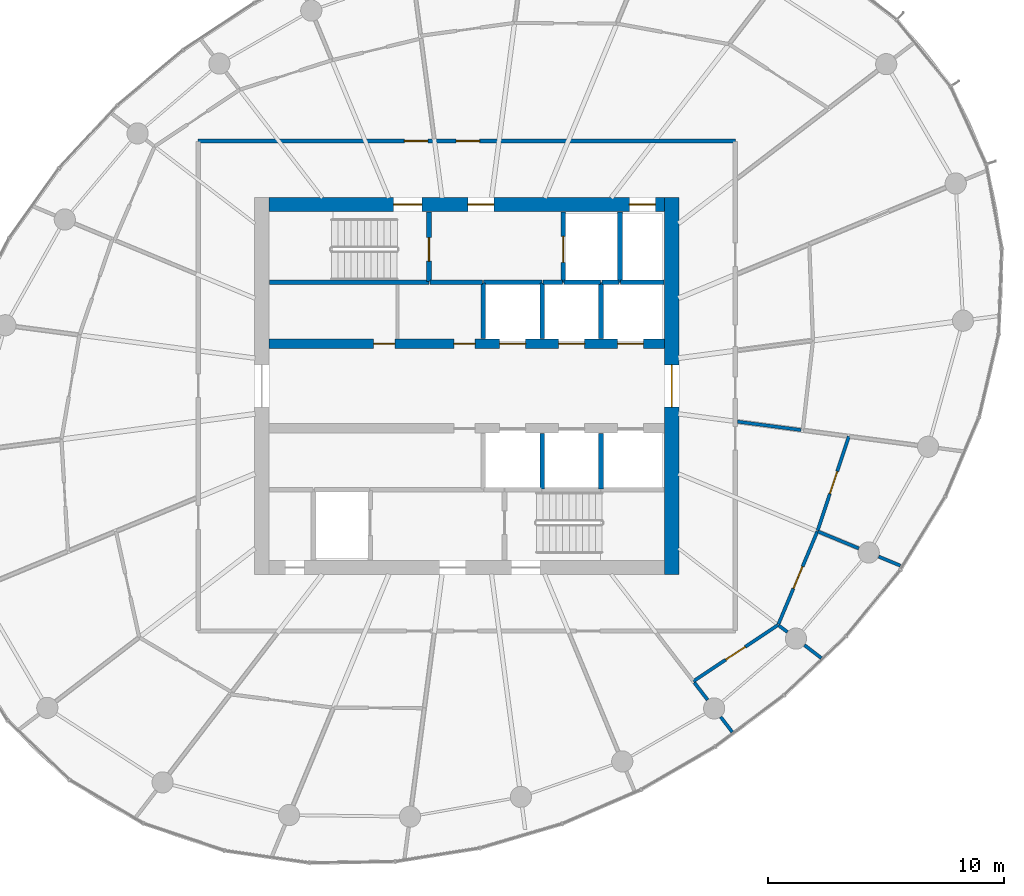
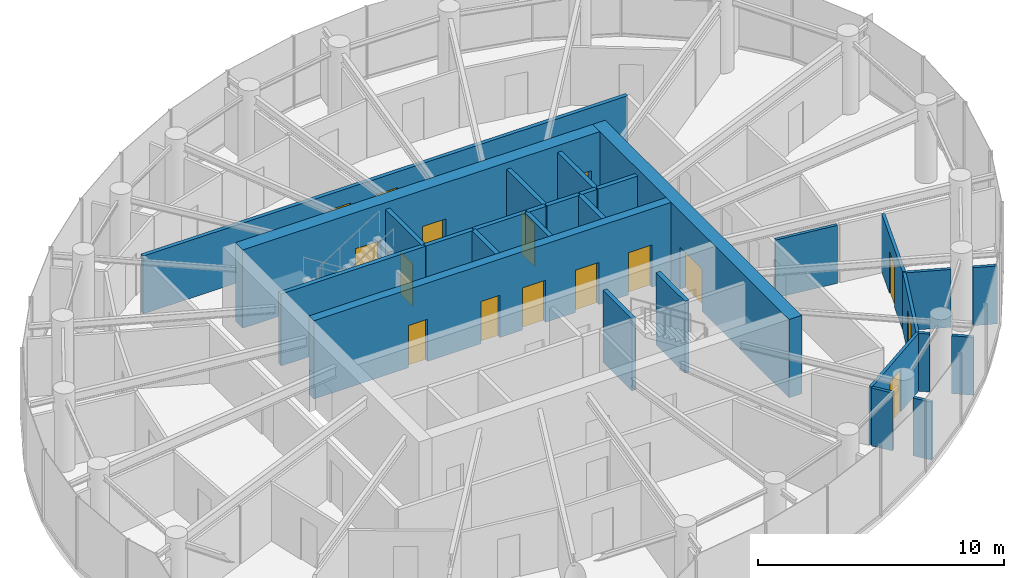
# One storey, part 11 of 15: 29 walls, 16 doors, 16 openings.
"""IFC4 building model written with IfcOpenShell, lengths in metres."""

from ifc_helpers import new_model, si_unit, direction, frame, frame_2d, origin, place, context, subcontext, project, spatial, rectangle, extrude, source, transform, mapped, material, layer, layer_set, type_object, element, fill, save


model = new_model("IFC4")

# Units and contexts
model_context = context("Model", 3, precision=1e-05, world=origin(), true_north=direction((0.0, 1.0)))
body_context = subcontext(model_context, "Body", "Model", "MODEL_VIEW")
ifc_project = project(units=[si_unit("LENGTHUNIT", "METRE"), si_unit("AREAUNIT", "SQUARE_METRE"), si_unit("VOLUMEUNIT", "CUBIC_METRE"), si_unit("PLANEANGLEUNIT", "RADIAN"), si_unit("MASSUNIT", "GRAM", prefix="KILO")], contexts=[model_context])

# Site, building, storey
site_placement = place(None, origin())
site = spatial("IfcSite", under=ifc_project, at=site_placement, CompositionType="ELEMENT")
building_placement = place(site_placement, origin())
building = spatial("IfcBuilding", under=site, at=building_placement, Name="Spindrift Exchange Tower", CompositionType="ELEMENT")
storey_placement = place(building_placement, frame((0.0, 0.0, 199.39990234375)))
storey = spatial("IfcBuildingStorey", under=building, at=storey_placement, Name="L48", CompositionType="ELEMENT", Elevation=199.39990234375)

# Wall, opening, door
ifc_material_1 = material(Name="Concrete 50 MPa", Category="concrete")
ifc_layer_1 = layer(ifc_material_1, 0.60009765625)
ifc_layer_set_1 = layer_set([ifc_layer_1], Name="RC Core Wall 600 Concrete 50 MPa")
wall_type_1 = type_object("IfcWallType", Name="RC Core Wall 600 Concrete 50 MPa", PredefinedType="SHEAR", material=ifc_layer_set_1)
wall_1_placement = place(storey_placement, frame((60.699951171875, 40.0, 0.0), z_axis=(0.0, 0.0, 1.0), x_axis=(0.0, 1.0, 0.0)))
wall_1 = element("IfcWall", 1, at=wall_1_placement, inside=storey, type_object=wall_type_1, Name="Core wall E L48", PredefinedType="SHEAR", context=body_context, shape_type="SweptSolid", body=[
    extrude(rectangle(XDim=16.0, YDim=0.60009765625, at=frame_2d((8.0, 0.0))), origin(), (0.0, 0.0, 1.0), 3.900146484375),
])
opening_1_placement = place(wall_1_placement, frame((7.10009765625, 0.0, 0.0)))
opening_1 = element("IfcOpeningElement", 2, at=opening_1_placement, cuts=wall_1, Name="Opening L48-D2", PredefinedType="OPENING", context=body_context, shape_type="SweptSolid", body=[
    extrude(rectangle(XDim=1.800048828125, YDim=2.10009765625, at=frame_2d((0.89990234375, 1.050048828125))), frame((0.0, 0.31005859375, 0.0), z_axis=(0.0, -1.0, 0.0), x_axis=(1.0, 0.0, 0.0)), (0.0, 0.0, 1.0), 0.6201171875),
])
ifc_material_2 = material(Name="Timber-core fire door", Category="wood")
door_type_1 = type_object("IfcDoorType", Name="DR-LOBBY-1800", OperationType="NOTDEFINED", PredefinedType="DOOR", material=ifc_material_2)
shared_shape_1 = source(origin(), body_context, "Body", "SweptSolid", [
    extrude(rectangle(XDim=1.800048828125, YDim=2.10009765625, at=frame_2d((0.89990234375, 1.050048828125))), frame((0.0, 0.02490234375, 0.0), z_axis=(0.0, -1.0, 0.0), x_axis=(1.0, 0.0, 0.0)), (0.0, 0.0, 1.0), 0.050048828125),
])
door_1_placement = place(opening_1_placement, origin())
door_1 = element("IfcDoor", 3, at=door_1_placement, inside=storey, type_object=door_type_1, Name="L48 Lobby door 2", OperationType="SINGLE_SWING_LEFT", OverallHeight=2.10009765625, OverallWidth=1.800048828125, PredefinedType="DOOR", context=body_context, shape_type="MappedRepresentation", body=[
    mapped(shared_shape_1, transform((0.0, 0.0, 0.0), scale=1.0)),
])
fill(opening_1, door_1)

# Wall, openings, doors
wall_2_placement = place(storey_placement, frame((60.39990234375, 55.699951171875, 0.0), z_axis=(0.0, 0.0, 1.0), x_axis=(-1.0, 0.0, 0.0)))
wall_2 = element("IfcWall", 4, at=wall_2_placement, inside=storey, type_object=wall_type_1, Name="Core wall N L48", PredefinedType="SHEAR", context=body_context, shape_type="SweptSolid", body=[
    extrude(rectangle(XDim=16.7998046875, YDim=0.60009765625, at=frame_2d((8.39990234375, 0.0))), origin(), (0.0, 0.0, 1.0), 3.900146484375),
])
opening_2_placement = place(wall_2_placement, frame((0.39990234375, 0.0, 0.0)))
opening_2 = element("IfcOpeningElement", 5, at=opening_2_placement, cuts=wall_2, Name="Opening L48-D11", PredefinedType="OPENING", context=body_context, shape_type="SweptSolid", body=[
    extrude(rectangle(XDim=1.10009765625, YDim=2.10009765625, at=frame_2d((0.550048828125, 1.050048828125))), frame((0.0, 0.31005859375, 0.0), z_axis=(0.0, -1.0, 0.0), x_axis=(1.0, 0.0, 0.0)), (0.0, 0.0, 1.0), 0.6201171875),
])
opening_3_placement = place(wall_2_placement, frame((10.300048828125, 0.0, 0.0)))
opening_3 = element("IfcOpeningElement", 6, at=opening_3_placement, cuts=wall_2, Name="Opening L48-D12", PredefinedType="OPENING", context=body_context, shape_type="SweptSolid", body=[
    extrude(rectangle(XDim=1.199951171875, YDim=2.10009765625, at=frame_2d((0.60009765625, 1.050048828125))), frame((0.0, 0.31005859375, 0.0), z_axis=(0.0, -1.0, 0.0), x_axis=(1.0, 0.0, 0.0)), (0.0, 0.0, 1.0), 0.6201171875),
])
opening_4_placement = place(wall_2_placement, frame((7.25, 0.0, 0.0)))
opening_4 = element("IfcOpeningElement", 7, at=opening_4_placement, cuts=wall_2, Name="Opening L48-D14", PredefinedType="OPENING", context=body_context, shape_type="SweptSolid", body=[
    extrude(rectangle(XDim=1.10009765625, YDim=2.10009765625, at=frame_2d((0.550048828125, 1.050048828125))), frame((0.0, 0.31005859375, 0.0), z_axis=(0.0, -1.0, 0.0), x_axis=(1.0, 0.0, 0.0)), (0.0, 0.0, 1.0), 0.6201171875),
])
ifc_material_3 = material(Name="Stainless steel landing door", Category="steel")
door_type_2 = type_object("IfcDoorType", Name="DR-LANDING-1100-SL", OperationType="DOUBLE_DOOR_SLIDING", PredefinedType="USERDEFINED", material=ifc_material_3)
shared_shape_2 = source(origin(), body_context, "Body", "SweptSolid", [
    extrude(rectangle(XDim=1.10009765625, YDim=2.10009765625, at=frame_2d((0.550048828125, 1.050048828125))), frame((0.0, 0.02490234375, 0.0), z_axis=(0.0, -1.0, 0.0), x_axis=(1.0, 0.0, 0.0)), (0.0, 0.0, 1.0), 0.050048828125),
])
door_2_placement = place(opening_2_placement, origin())
door_2 = element("IfcDoor", 8, at=door_2_placement, inside=storey, type_object=door_type_2, Name="L48 Lift landing door 11", ObjectType="LANDING DOOR", OperationType="DOUBLE_DOOR_SLIDING", OverallHeight=2.10009765625, OverallWidth=1.10009765625, PredefinedType="USERDEFINED", context=body_context, shape_type="MappedRepresentation", body=[
    mapped(shared_shape_2, transform((0.0, 0.0, 0.0), scale=1.0)),
])
fill(opening_2, door_2)
ifc_material_4 = material(Name="Steel fire door", Category="steel")
door_type_3 = type_object("IfcDoorType", Name="DR-STAIR-1200", OperationType="NOTDEFINED", PredefinedType="DOOR", material=ifc_material_4)
shared_shape_3 = source(origin(), body_context, "Body", "SweptSolid", [
    extrude(rectangle(XDim=1.199951171875, YDim=2.10009765625, at=frame_2d((0.60009765625, 1.050048828125))), frame((0.0, 0.02490234375, 0.0), z_axis=(0.0, -1.0, 0.0), x_axis=(1.0, 0.0, 0.0)), (0.0, 0.0, 1.0), 0.050048828125),
])
door_3_placement = place(opening_3_placement, origin())
door_3 = element("IfcDoor", 9, at=door_3_placement, inside=storey, type_object=door_type_3, Name="L48 Stair door 12", OperationType="SINGLE_SWING_RIGHT", OverallHeight=2.10009765625, OverallWidth=1.199951171875, PredefinedType="DOOR", context=body_context, shape_type="MappedRepresentation", body=[
    mapped(shared_shape_3, transform((0.0, 0.0, 0.0), scale=1.0)),
])
fill(opening_3, door_3)
door_type_4 = type_object("IfcDoorType", Name="DR-LOBBY-1100", OperationType="NOTDEFINED", PredefinedType="DOOR", material=ifc_material_2)
shared_shape_4 = source(origin(), body_context, "Body", "SweptSolid", [
    extrude(rectangle(XDim=1.10009765625, YDim=2.10009765625, at=frame_2d((0.550048828125, 1.050048828125))), frame((0.0, 0.02490234375, 0.0), z_axis=(0.0, -1.0, 0.0), x_axis=(1.0, 0.0, 0.0)), (0.0, 0.0, 1.0), 0.050048828125),
])
door_4_placement = place(opening_4_placement, origin())
door_4 = element("IfcDoor", 10, at=door_4_placement, inside=storey, type_object=door_type_4, Name="L48 Lobby door 14", OperationType="SINGLE_SWING_RIGHT", OverallHeight=2.10009765625, OverallWidth=1.10009765625, PredefinedType="DOOR", context=body_context, shape_type="MappedRepresentation", body=[
    mapped(shared_shape_4, transform((0.0, 0.0, 0.0), scale=1.0)),
])
fill(opening_4, door_4)

ifc_layer_2 = layer(ifc_material_1, 0.39990234375)
ifc_layer_set_2 = layer_set([ifc_layer_2], Name="RC Spine Wall 400 Concrete 50 MPa")
wall_type_2 = type_object("IfcWallType", Name="RC Spine Wall 400 Concrete 50 MPa", PredefinedType="SHEAR", material=ifc_layer_set_2)
wall_3_placement = place(storey_placement, frame((43.60009765625, 49.800048828125, 0.0), z_axis=(0.0, 0.0, 1.0), x_axis=(1.0, 0.0, 0.0)))
wall_3 = element("IfcWall", 11, at=wall_3_placement, inside=storey, type_object=wall_type_2, Name="Core spine wall N L48", PredefinedType="SHEAR", context=body_context, shape_type="SweptSolid", body=[
    extrude(rectangle(XDim=16.7998046875, YDim=0.39990234375, at=frame_2d((8.39990234375, 0.0))), origin(), (0.0, 0.0, 1.0), 3.900146484375),
])
opening_5_placement = place(wall_3_placement, frame((9.800048828125, 0.0, 0.0)))
opening_5 = element("IfcOpeningElement", 12, at=opening_5_placement, cuts=wall_3, Name="Opening L48-D3", PredefinedType="OPENING", context=body_context, shape_type="SweptSolid", body=[
    extrude(rectangle(XDim=1.10009765625, YDim=2.10009765625, at=frame_2d((0.550048828125, 1.050048828125))), frame((0.0, 0.2099609375, 0.0), z_axis=(0.0, -1.0, 0.0), x_axis=(1.0, 0.0, 0.0)), (0.0, 0.0, 1.0), 0.419921875),
])
opening_6_placement = place(wall_3_placement, frame((12.300048828125, 0.0, 0.0)))
opening_6 = element("IfcOpeningElement", 13, at=opening_6_placement, cuts=wall_3, Name="Opening L48-D4", PredefinedType="OPENING", context=body_context, shape_type="SweptSolid", body=[
    extrude(rectangle(XDim=1.10009765625, YDim=2.10009765625, at=frame_2d((0.550048828125, 1.050048828125))), frame((0.0, 0.2099609375, 0.0), z_axis=(0.0, -1.0, 0.0), x_axis=(1.0, 0.0, 0.0)), (0.0, 0.0, 1.0), 0.419921875),
])
opening_7_placement = place(wall_3_placement, frame((14.800048828125, 0.0, 0.0)))
opening_7 = element("IfcOpeningElement", 14, at=opening_7_placement, cuts=wall_3, Name="Opening L48-D5", PredefinedType="OPENING", context=body_context, shape_type="SweptSolid", body=[
    extrude(rectangle(XDim=1.10009765625, YDim=2.10009765625, at=frame_2d((0.550048828125, 1.050048828125))), frame((0.0, 0.2099609375, 0.0), z_axis=(0.0, -1.0, 0.0), x_axis=(1.0, 0.0, 0.0)), (0.0, 0.0, 1.0), 0.419921875),
])
opening_8_placement = place(wall_3_placement, frame((4.449951171875, 0.0, 0.0)))
opening_8 = element("IfcOpeningElement", 15, at=opening_8_placement, cuts=wall_3, Name="Opening L48-D49", PredefinedType="OPENING", context=body_context, shape_type="SweptSolid", body=[
    extrude(rectangle(XDim=0.89990234375, YDim=2.10009765625, at=frame_2d((0.449951171875, 1.050048828125))), frame((0.0, 0.2099609375, 0.0), z_axis=(0.0, -1.0, 0.0), x_axis=(1.0, 0.0, 0.0)), (0.0, 0.0, 1.0), 0.419921875),
])
opening_9_placement = place(wall_3_placement, frame((7.85009765625, 0.0, 0.0)))
opening_9 = element("IfcOpeningElement", 16, at=opening_9_placement, cuts=wall_3, Name="Opening L48-D50", PredefinedType="OPENING", context=body_context, shape_type="SweptSolid", body=[
    extrude(rectangle(XDim=0.89990234375, YDim=2.10009765625, at=frame_2d((0.449951171875, 1.050048828125))), frame((0.0, 0.2099609375, 0.0), z_axis=(0.0, -1.0, 0.0), x_axis=(1.0, 0.0, 0.0)), (0.0, 0.0, 1.0), 0.419921875),
])
door_5_placement = place(opening_5_placement, origin())
door_5 = element("IfcDoor", 17, at=door_5_placement, inside=storey, type_object=door_type_2, Name="L48 Lift landing door 3", ObjectType="LANDING DOOR", OperationType="DOUBLE_DOOR_SLIDING", OverallHeight=2.10009765625, OverallWidth=1.10009765625, PredefinedType="USERDEFINED", context=body_context, shape_type="MappedRepresentation", body=[
    mapped(shared_shape_2, transform((0.0, 0.0, 0.0), scale=1.0)),
])
fill(opening_5, door_5)
door_6_placement = place(opening_6_placement, origin())
door_6 = element("IfcDoor", 18, at=door_6_placement, inside=storey, type_object=door_type_2, Name="L48 Lift landing door 4", ObjectType="LANDING DOOR", OperationType="DOUBLE_DOOR_SLIDING", OverallHeight=2.10009765625, OverallWidth=1.10009765625, PredefinedType="USERDEFINED", context=body_context, shape_type="MappedRepresentation", body=[
    mapped(shared_shape_2, transform((0.0, 0.0, 0.0), scale=1.0)),
])
fill(opening_6, door_6)
door_7_placement = place(opening_7_placement, origin())
door_7 = element("IfcDoor", 19, at=door_7_placement, inside=storey, type_object=door_type_2, Name="L48 Lift landing door 5", ObjectType="LANDING DOOR", OperationType="DOUBLE_DOOR_SLIDING", OverallHeight=2.10009765625, OverallWidth=1.10009765625, PredefinedType="USERDEFINED", context=body_context, shape_type="MappedRepresentation", body=[
    mapped(shared_shape_2, transform((0.0, 0.0, 0.0), scale=1.0)),
])
fill(opening_7, door_7)
ifc_material_5 = material(Name="Steel access door", Category="steel")
door_type_5 = type_object("IfcDoorType", Name="DR-RISER-900", OperationType="NOTDEFINED", PredefinedType="DOOR", material=ifc_material_5)
shared_shape_5 = source(origin(), body_context, "Body", "SweptSolid", [
    extrude(rectangle(XDim=0.89990234375, YDim=2.10009765625, at=frame_2d((0.449951171875, 1.050048828125))), frame((0.0, 0.02490234375, 0.0), z_axis=(0.0, -1.0, 0.0), x_axis=(1.0, 0.0, 0.0)), (0.0, 0.0, 1.0), 0.050048828125),
])
door_8_placement = place(opening_8_placement, origin())
door_8 = element("IfcDoor", 20, at=door_8_placement, inside=storey, type_object=door_type_5, Name="L48 Riser door 49", OperationType="SINGLE_SWING_LEFT", OverallHeight=2.10009765625, OverallWidth=0.89990234375, PredefinedType="DOOR", context=body_context, shape_type="MappedRepresentation", body=[
    mapped(shared_shape_5, transform((0.0, 0.0, 0.0), scale=1.0)),
])
fill(opening_8, door_8)
door_9_placement = place(opening_9_placement, origin())
door_9 = element("IfcDoor", 21, at=door_9_placement, inside=storey, type_object=door_type_5, Name="L48 Riser door 50", OperationType="SINGLE_SWING_RIGHT", OverallHeight=2.10009765625, OverallWidth=0.89990234375, PredefinedType="DOOR", context=body_context, shape_type="MappedRepresentation", body=[
    mapped(shared_shape_5, transform((0.0, 0.0, 0.0), scale=1.0)),
])
fill(opening_9, door_9)

ifc_material_6 = material(Name="Fire-rated plasterboard partition", Category="gypsum")
ifc_layer_3 = layer(ifc_material_6, 0.179931640625)
ifc_layer_set_3 = layer_set([ifc_layer_3], Name="W-CORR-180")
wall_type_3 = type_object("IfcWallType", Name="W-CORR-180", PredefinedType="PARTITIONING", material=ifc_layer_set_3)
wall_4_placement = place(storey_placement, frame((40.60009765625, 58.39990234375, 0.0), z_axis=(0.0, 0.0, 1.0), x_axis=(1.0, 0.0, 0.0)))
wall_4 = element("IfcWall", 22, at=wall_4_placement, inside=storey, type_object=wall_type_3, Name="L48 Partition wall 27", PredefinedType="PARTITIONING", context=body_context, shape_type="SweptSolid", body=[
    extrude(rectangle(XDim=22.7998046875, YDim=0.179931640625, at=frame_2d((11.39990234375, 0.0))), origin(), (0.0, 0.0, 1.0), 2.880126953125),
])
opening_10_placement = place(wall_4_placement, frame((10.949951171875, 0.0, 0.0)))
opening_10 = element("IfcOpeningElement", 23, at=opening_10_placement, cuts=wall_4, Name="Opening L48-D23", PredefinedType="OPENING", context=body_context, shape_type="SweptSolid", body=[
    extrude(rectangle(XDim=1.0, YDim=2.10009765625, at=frame_2d((0.5, 1.050048828125))), frame((0.0, 0.099853515625, 0.0), z_axis=(0.0, -1.0, 0.0), x_axis=(1.0, 0.0, 0.0)), (0.0, 0.0, 1.0), 0.199951171875),
])
opening_11_placement = place(wall_4_placement, frame((8.75, 0.0, 0.0)))
opening_11 = element("IfcOpeningElement", 24, at=opening_11_placement, cuts=wall_4, Name="Opening L48-D28", PredefinedType="OPENING", context=body_context, shape_type="SweptSolid", body=[
    extrude(rectangle(XDim=1.0, YDim=2.10009765625, at=frame_2d((0.5, 1.050048828125))), frame((0.0, 0.099853515625, 0.0), z_axis=(0.0, -1.0, 0.0), x_axis=(1.0, 0.0, 0.0)), (0.0, 0.0, 1.0), 0.199951171875),
])
door_type_6 = type_object("IfcDoorType", Name="DR-ROOM-1000", OperationType="NOTDEFINED", PredefinedType="DOOR", material=ifc_material_2)
shared_shape_6 = source(origin(), body_context, "Body", "SweptSolid", [
    extrude(rectangle(XDim=1.0, YDim=2.10009765625, at=frame_2d((0.5, 1.050048828125))), frame((0.0, 0.02490234375, 0.0), z_axis=(0.0, -1.0, 0.0), x_axis=(1.0, 0.0, 0.0)), (0.0, 0.0, 1.0), 0.050048828125),
])
door_10_placement = place(opening_10_placement, origin())
door_10 = element("IfcDoor", 25, at=door_10_placement, inside=storey, type_object=door_type_6, Name="L48 Door 23", OperationType="SINGLE_SWING_LEFT", OverallHeight=2.10009765625, OverallWidth=1.0, PredefinedType="DOOR", context=body_context, shape_type="MappedRepresentation", body=[
    mapped(shared_shape_6, transform((0.0, 0.0, 0.0), scale=1.0)),
])
fill(opening_10, door_10)
door_11_placement = place(opening_11_placement, origin())
door_11 = element("IfcDoor", 26, at=door_11_placement, inside=storey, type_object=door_type_6, Name="L48 Door 28", OperationType="SINGLE_SWING_RIGHT", OverallHeight=2.10009765625, OverallWidth=1.0, PredefinedType="DOOR", context=body_context, shape_type="MappedRepresentation", body=[
    mapped(shared_shape_6, transform((0.0, 0.0, 0.0), scale=1.0)),
])
fill(opening_11, door_11)

# Wall, opening, door
ifc_layer_4 = layer(ifc_material_6, 0.139892578125)
ifc_layer_set_4 = layer_set([ifc_layer_4], Name="W-PART-140")
wall_type_4 = type_object("IfcWallType", Name="W-PART-140", PredefinedType="PARTITIONING", material=ifc_layer_set_4)
wall_5_placement = place(storey_placement, frame((65.2138671875, 37.860595703125, 0.0), z_axis=(0.0, 0.0, 1.0), x_axis=(-0.832762432558, -0.553630500353, 0.0)))
wall_5 = element("IfcWall", 27, at=wall_5_placement, inside=storey, type_object=wall_type_4, Name="L48 Partition wall 47", PredefinedType="PARTITIONING", context=body_context, shape_type="SweptSolid", body=[
    extrude(rectangle(XDim=4.32080078125, YDim=0.139892578125, at=frame_2d((2.160400390625, 0.0))), origin(), (0.0, 0.0, 1.0), 2.880126953125),
])
opening_12_placement = place(wall_5_placement, frame((1.6708984375, 0.0, 0.0)))
opening_12 = element("IfcOpeningElement", 28, at=opening_12_placement, cuts=wall_5, Name="Opening L48-D46", PredefinedType="OPENING", context=body_context, shape_type="SweptSolid", body=[
    extrude(rectangle(XDim=1.0, YDim=2.10009765625, at=frame_2d((0.5, 1.050048828125))), frame((0.0, 0.079833984375, 0.0), z_axis=(0.0, -1.0, 0.0), x_axis=(1.0, 0.0, 0.0)), (0.0, 0.0, 1.0), 0.159912109375),
])
door_12_placement = place(opening_12_placement, origin())
door_12 = element("IfcDoor", 29, at=door_12_placement, inside=storey, type_object=door_type_6, Name="L48 Door 46", OperationType="SINGLE_SWING_RIGHT", OverallHeight=2.10009765625, OverallWidth=1.0, PredefinedType="DOOR", context=body_context, shape_type="MappedRepresentation", body=[
    mapped(shared_shape_6, transform((0.0, 0.0, 0.0), scale=1.0)),
])
fill(opening_12, door_12)

wall_6_placement = place(storey_placement, frame((66.881591796875, 41.835693359375, 0.0), z_axis=(0.0, 0.0, 1.0), x_axis=(-0.386845581472, -0.922144509335, 0.0)))
wall_6 = element("IfcWall", 30, at=wall_6_placement, inside=storey, type_object=wall_type_4, Name="L48 Partition wall 48", PredefinedType="PARTITIONING", context=body_context, shape_type="SweptSolid", body=[
    extrude(rectangle(XDim=4.28076171875, YDim=0.139892578125, at=frame_2d((2.140380859375, 0.0))), origin(), (0.0, 0.0, 1.0), 2.880126953125),
])
opening_13_placement = place(wall_6_placement, frame((1.630859375, 0.0, 0.0)))
opening_13 = element("IfcOpeningElement", 31, at=opening_13_placement, cuts=wall_6, Name="Opening L48-D47", PredefinedType="OPENING", context=body_context, shape_type="SweptSolid", body=[
    extrude(rectangle(XDim=1.0, YDim=2.10009765625, at=frame_2d((0.5, 1.050048828125))), frame((0.0, 0.079833984375, 0.0), z_axis=(0.0, -1.0, 0.0), x_axis=(1.0, 0.0, 0.0)), (0.0, 0.0, 1.0), 0.159912109375),
])
door_13_placement = place(opening_13_placement, origin())
door_13 = element("IfcDoor", 32, at=door_13_placement, inside=storey, type_object=door_type_6, Name="L48 Door 47", OperationType="SINGLE_SWING_LEFT", OverallHeight=2.10009765625, OverallWidth=1.0, PredefinedType="DOOR", context=body_context, shape_type="MappedRepresentation", body=[
    mapped(shared_shape_6, transform((0.0, 0.0, 0.0), scale=1.0)),
])
fill(opening_13, door_13)

wall_7_placement = place(storey_placement, frame((68.217041015625, 45.864990234375, 0.0), z_axis=(0.0, 0.0, 1.0), x_axis=(-0.314593796034, -0.94922639212, 0.0)))
wall_7 = element("IfcWall", 33, at=wall_7_placement, inside=storey, type_object=wall_type_4, Name="L48 Partition wall 51", PredefinedType="PARTITIONING", context=body_context, shape_type="SweptSolid", body=[
    extrude(rectangle(XDim=4.21484375, YDim=0.139892578125, at=frame_2d((2.107421875, 0.0))), origin(), (0.0, 0.0, 1.0), 2.880126953125),
])
opening_14_placement = place(wall_7_placement, frame((1.564697265625, 0.0, 0.0)))
opening_14 = element("IfcOpeningElement", 34, at=opening_14_placement, cuts=wall_7, Name="Opening L48-D48", PredefinedType="OPENING", context=body_context, shape_type="SweptSolid", body=[
    extrude(rectangle(XDim=1.0, YDim=2.10009765625, at=frame_2d((0.5, 1.050048828125))), frame((0.0, 0.079833984375, 0.0), z_axis=(0.0, -1.0, 0.0), x_axis=(1.0, 0.0, 0.0)), (0.0, 0.0, 1.0), 0.159912109375),
])
door_14_placement = place(opening_14_placement, origin())
door_14 = element("IfcDoor", 35, at=door_14_placement, inside=storey, type_object=door_type_6, Name="L48 Door 48", OperationType="SINGLE_SWING_RIGHT", OverallHeight=2.10009765625, OverallWidth=1.0, PredefinedType="DOOR", context=body_context, shape_type="MappedRepresentation", body=[
    mapped(shared_shape_6, transform((0.0, 0.0, 0.0), scale=1.0)),
])
fill(opening_14, door_14)

# Walls
wall_8_placement = place(storey_placement, frame((63.489990234375, 46.4873046875, 0.0), z_axis=(0.0, 0.0, 1.0), x_axis=(0.99144880359, -0.130496244624, 0.0)))
element("IfcWall", 36, at=wall_8_placement, inside=storey, type_object=wall_type_4, Name="L48 Partition wall 67", PredefinedType="PARTITIONING", context=body_context, shape_type="SweptSolid", body=[
    extrude(rectangle(XDim=2.723876953125, YDim=0.139892578125, at=frame_2d((1.36181640625, 0.0))), origin(), (0.0, 0.0, 1.0), 2.880126953125),
])
wall_9_placement = place(storey_placement, frame((66.9091796875, 41.824462890625, 0.0), z_axis=(0.0, 0.0, 1.0), x_axis=(0.923865843613, -0.382716478617, 0.0)))
element("IfcWall", 37, at=wall_9_placement, inside=storey, type_object=wall_type_4, Name="L48 Partition wall 78", PredefinedType="PARTITIONING", context=body_context, shape_type="SweptSolid", body=[
    extrude(rectangle(XDim=1.872314453125, YDim=0.139892578125, at=frame_2d((0.93603515625, 0.0))), origin(), (0.0, 0.0, 1.0), 2.880126953125),
])
wall_10_placement = place(storey_placement, frame((69.479736328125, 40.759521484375, 0.0), z_axis=(0.0, 0.0, 1.0), x_axis=(0.923927521376, -0.382567556445, 0.0)))
element("IfcWall", 38, at=wall_10_placement, inside=storey, type_object=wall_type_4, Name="L48 Partition wall 93", PredefinedType="PARTITIONING", context=body_context, shape_type="SweptSolid", body=[
    extrude(rectangle(XDim=0.999267578125, YDim=0.139892578125, at=frame_2d((0.49951171875, 0.0))), origin(), (0.0, 0.0, 1.0), 2.880126953125),
])
wall_11_placement = place(storey_placement, frame((61.658447265625, 35.412841796875, 0.0), z_axis=(0.0, 0.0, 1.0), x_axis=(0.60873011284, -0.79337736905, 0.0)))
element("IfcWall", 39, at=wall_11_placement, inside=storey, type_object=wall_type_4, Name="L48 Partition wall 95", PredefinedType="PARTITIONING", context=body_context, shape_type="SweptSolid", body=[
    extrude(rectangle(XDim=0.9267578125, YDim=0.139892578125, at=frame_2d((0.46337890625, 0.0))), origin(), (0.0, 0.0, 1.0), 2.880126953125),
])
wall_12_placement = place(storey_placement, frame((66.33154296875, 37.0029296875, 0.0), z_axis=(0.0, 0.0, 1.0), x_axis=(0.79343675283, -0.608652708249, 0.0)))
element("IfcWall", 40, at=wall_12_placement, inside=storey, type_object=wall_type_4, Name="L48 Partition wall 99", PredefinedType="PARTITIONING", context=body_context, shape_type="SweptSolid", body=[
    extrude(rectangle(XDim=0.90380859375, YDim=0.139892578125, at=frame_2d((0.451904296875, 0.0))), origin(), (0.0, 0.0, 1.0), 2.880126953125),
])
wall_13_placement = place(storey_placement, frame((62.77587890625, 33.956298828125, 0.0), z_axis=(0.0, 0.0, 1.0), x_axis=(0.60901253632, -0.793160595721, 0.0)))
element("IfcWall", 41, at=wall_13_placement, inside=storey, type_object=wall_type_4, Name="L48 Partition wall 103", PredefinedType="PARTITIONING", context=body_context, shape_type="SweptSolid", body=[
    extrude(rectangle(XDim=0.811279296875, YDim=0.139892578125, at=frame_2d((0.40576171875, 0.0))), origin(), (0.0, 0.0, 1.0), 2.880126953125),
])
wall_14_placement = place(storey_placement, frame((65.23779296875, 37.84228515625, 0.0), z_axis=(0.0, 0.0, 1.0), x_axis=(0.793338522039, -0.608780740044, 0.0)))
element("IfcWall", 42, at=wall_14_placement, inside=storey, type_object=wall_type_4, Name="L48 Partition wall 105", PredefinedType="PARTITIONING", context=body_context, shape_type="SweptSolid", body=[
    extrude(rectangle(XDim=0.4697265625, YDim=0.139892578125, at=frame_2d((0.23486328125, 0.0))), origin(), (0.0, 0.0, 1.0), 2.880126953125),
])

# Wall, opening, door
ifc_material_7 = material(Name="Concrete 40 MPa", Category="concrete")
ifc_layer_5 = layer(ifc_material_7, 0.199951171875)
ifc_layer_set_5 = layer_set([ifc_layer_5], Name="W-SHAFT-200")
wall_type_5 = type_object("IfcWallType", Name="W-SHAFT-200", PredefinedType="SOLIDWALL", material=ifc_layer_set_5)
wall_15_placement = place(storey_placement, frame((56.10009765625, 55.3798828125, 0.0), z_axis=(0.0, 0.0, 1.0), x_axis=(0.0, -1.0, 0.0)))
wall_15 = element("IfcWall", 43, at=wall_15_placement, inside=storey, type_object=wall_type_5, Name="L48 Shaft wall 7", PredefinedType="SOLIDWALL", context=body_context, shape_type="SweptSolid", body=[
    extrude(rectangle(XDim=2.97998046875, YDim=0.199951171875, at=frame_2d((1.489990234375, 0.0))), origin(), (0.0, 0.0, 1.0), 3.580078125),
])
opening_15_placement = place(wall_15_placement, frame((1.030029296875, 0.0, 0.0)))
opening_15 = element("IfcOpeningElement", 44, at=opening_15_placement, cuts=wall_15, Name="Opening L48-D9", PredefinedType="OPENING", context=body_context, shape_type="SweptSolid", body=[
    extrude(rectangle(XDim=1.10009765625, YDim=2.10009765625, at=frame_2d((0.550048828125, 1.050048828125))), frame((0.0, 0.10986328125, 0.0), z_axis=(0.0, -1.0, 0.0), x_axis=(1.0, 0.0, 0.0)), (0.0, 0.0, 1.0), 0.219970703125),
])
door_15_placement = place(opening_15_placement, origin())
door_15 = element("IfcDoor", 45, at=door_15_placement, inside=storey, type_object=door_type_2, Name="L48 Lift landing door 9", ObjectType="LANDING DOOR", OperationType="DOUBLE_DOOR_SLIDING", OverallHeight=2.10009765625, OverallWidth=1.10009765625, PredefinedType="USERDEFINED", context=body_context, shape_type="MappedRepresentation", body=[
    mapped(shared_shape_2, transform((0.0, 0.0, 0.0), scale=1.0)),
])
fill(opening_15, door_15)

# Walls
wall_16_placement = place(storey_placement, frame((58.5, 52.39990234375, 0.0), z_axis=(0.0, 0.0, 1.0), x_axis=(0.0, 1.0, 0.0)))
element("IfcWall", 46, at=wall_16_placement, inside=storey, type_object=wall_type_5, Name="L48 Shaft wall 8", PredefinedType="SOLIDWALL", context=body_context, shape_type="SweptSolid", body=[
    extrude(rectangle(XDim=2.97998046875, YDim=0.199951171875, at=frame_2d((1.489990234375, 0.0))), origin(), (0.0, 0.0, 1.0), 3.580078125),
])
wall_17_placement = place(storey_placement, frame((55.199951171875, 52.39990234375, 0.0), z_axis=(0.0, 0.0, 1.0), x_axis=(-1.0, 0.0, 0.0)))
element("IfcWall", 47, at=wall_17_placement, inside=storey, type_object=wall_type_5, Name="L48 Shaft wall 10", PredefinedType="SOLIDWALL", context=body_context, shape_type="SweptSolid", body=[
    extrude(rectangle(XDim=2.5, YDim=0.199951171875, at=frame_2d((1.25, 0.0))), origin(), (0.0, 0.0, 1.0), 3.580078125),
])
for number, where, z_axis, x_axis, name in (
    (48, (52.699951171875, 52.3701171875, 0.0), (0.0, 0.0, 1.0), (0.0, -1.0, 0.0), "L48 Shaft wall 14"),
    (49, (55.199951171875, 50.010009765625, 0.0), (0.0, 0.0, 1.0), (0.0, 1.0, 0.0), "L48 Shaft wall 16"),
):
    element("IfcWall", number, at=place(storey_placement, frame(where, z_axis=z_axis, x_axis=x_axis)), inside=storey, type_object=wall_type_5, Name=name, PredefinedType="SOLIDWALL", context=body_context, shape_type="SweptSolid", body=[
        extrude(rectangle(XDim=2.360107421875, YDim=0.199951171875, at=frame_2d((1.18017578125, 0.0))), origin(), (0.0, 0.0, 1.0), 3.580078125),
    ])
wall_18_placement = place(storey_placement, frame((57.699951171875, 50.010009765625, 0.0), z_axis=(0.0, 0.0, 1.0), x_axis=(0.0, 1.0, 0.0)))
element("IfcWall", 50, at=wall_18_placement, inside=storey, type_object=wall_type_5, Name="L48 Shaft wall 18", PredefinedType="SOLIDWALL", context=body_context, shape_type="SweptSolid", body=[
    extrude(rectangle(XDim=2.389892578125, YDim=0.199951171875, at=frame_2d((1.19482421875, 0.0))), origin(), (0.0, 0.0, 1.0), 3.580078125),
])
wall_19_placement = place(storey_placement, frame((60.3798828125, 52.39990234375, 0.0), z_axis=(0.0, 0.0, 1.0), x_axis=(-1.0, 0.0, 0.0)))
element("IfcWall", 51, at=wall_19_placement, inside=storey, type_object=wall_type_5, Name="L48 Shaft wall 21", PredefinedType="SOLIDWALL", context=body_context, shape_type="SweptSolid", body=[
    extrude(rectangle(XDim=1.849853515625, YDim=0.199951171875, at=frame_2d((0.9248046875, 0.0))), origin(), (0.0, 0.0, 1.0), 3.580078125),
])
wall_20_placement = place(storey_placement, frame((57.669921875, 52.39990234375, 0.0), z_axis=(0.0, 0.0, 1.0), x_axis=(-1.0, 0.0, 0.0)))
element("IfcWall", 52, at=wall_20_placement, inside=storey, type_object=wall_type_5, Name="L48 Shaft wall 23", PredefinedType="SOLIDWALL", context=body_context, shape_type="SweptSolid", body=[
    extrude(rectangle(XDim=1.5400390625, YDim=0.199951171875, at=frame_2d((0.77001953125, 0.0))), origin(), (0.0, 0.0, 1.0), 3.580078125),
])
wall_21_placement = place(storey_placement, frame((56.070068359375, 52.39990234375, 0.0), z_axis=(0.0, 0.0, 1.0), x_axis=(-1.0, 0.0, 0.0)))
element("IfcWall", 53, at=wall_21_placement, inside=storey, type_object=wall_type_5, Name="L48 Shaft wall 25", PredefinedType="SOLIDWALL", context=body_context, shape_type="SweptSolid", body=[
    extrude(rectangle(XDim=0.840087890625, YDim=0.199951171875, at=frame_2d((0.419921875, 0.0))), origin(), (0.0, 0.0, 1.0), 3.580078125),
])
wall_22_placement = place(storey_placement, frame((58.469970703125, 52.39990234375, 0.0), z_axis=(0.0, 0.0, 1.0), x_axis=(-1.0, 0.0, 0.0)))
element("IfcWall", 54, at=wall_22_placement, inside=storey, type_object=wall_type_5, Name="L48 Shaft wall 26", PredefinedType="SOLIDWALL", context=body_context, shape_type="SweptSolid", body=[
    extrude(rectangle(XDim=0.739990234375, YDim=0.199951171875, at=frame_2d((0.3701171875, 0.0))), origin(), (0.0, 0.0, 1.0), 3.580078125),
])
ifc_layer_6 = layer(ifc_material_7, 0.199951171875)
ifc_layer_set_6 = layer_set([ifc_layer_6], Name="W-SHAFT-200-LB")
wall_type_6 = type_object("IfcWallType", Name="W-SHAFT-200-LB", PredefinedType="SOLIDWALL", material=ifc_layer_set_6)
wall_23_placement = place(storey_placement, frame((43.6201171875, 52.39990234375, 0.0), z_axis=(0.0, 0.0, 1.0), x_axis=(1.0, 0.0, 0.0)))
element("IfcWall", 55, at=wall_23_placement, inside=storey, type_object=wall_type_6, Name="L48 Shaft wall 1", PredefinedType="SOLIDWALL", context=body_context, shape_type="SweptSolid", body=[
    extrude(rectangle(XDim=6.77978515625, YDim=0.199951171875, at=frame_2d((3.389892578125, 0.0))), origin(), (0.0, 0.0, 1.0), 3.580078125),
])

# Wall, opening, door
wall_24_placement = place(storey_placement, frame((50.39990234375, 52.429931640625, 0.0), z_axis=(0.0, 0.0, 1.0), x_axis=(0.0, 1.0, 0.0)))
wall_24 = element("IfcWall", 56, at=wall_24_placement, inside=storey, type_object=wall_type_6, Name="L48 Shaft wall 5", PredefinedType="SOLIDWALL", context=body_context, shape_type="SweptSolid", body=[
    extrude(rectangle(XDim=2.949951171875, YDim=0.199951171875, at=frame_2d((1.47509765625, 0.0))), origin(), (0.0, 0.0, 1.0), 3.580078125),
])
opening_16_placement = place(wall_24_placement, frame((0.8701171875, 0.0, 0.0)))
opening_16 = element("IfcOpeningElement", 57, at=opening_16_placement, cuts=wall_24, Name="Opening L48-D13", PredefinedType="OPENING", context=body_context, shape_type="SweptSolid", body=[
    extrude(rectangle(XDim=1.0, YDim=2.10009765625, at=frame_2d((0.5, 1.050048828125))), frame((0.0, 0.10986328125, 0.0), z_axis=(0.0, -1.0, 0.0), x_axis=(1.0, 0.0, 0.0)), (0.0, 0.0, 1.0), 0.219970703125),
])
door_type_7 = type_object("IfcDoorType", Name="DR-STAIR-1000", OperationType="NOTDEFINED", PredefinedType="DOOR", material=ifc_material_4)
shared_shape_7 = source(origin(), body_context, "Body", "SweptSolid", [
    extrude(rectangle(XDim=1.0, YDim=2.10009765625, at=frame_2d((0.5, 1.050048828125))), frame((0.0, 0.02490234375, 0.0), z_axis=(0.0, -1.0, 0.0), x_axis=(1.0, 0.0, 0.0)), (0.0, 0.0, 1.0), 0.050048828125),
])
door_16_placement = place(opening_16_placement, origin())
door_16 = element("IfcDoor", 58, at=door_16_placement, inside=storey, type_object=door_type_7, Name="L48 Stair door 13", OperationType="SINGLE_SWING_LEFT", OverallHeight=2.10009765625, OverallWidth=1.0, PredefinedType="DOOR", context=body_context, shape_type="MappedRepresentation", body=[
    mapped(shared_shape_7, transform((0.0, 0.0, 0.0), scale=1.0)),
])
fill(opening_16, door_16)

# Walls
for number, where, z_axis, x_axis, name in (
    (59, (55.199951171875, 43.6298828125, 0.0), (0.0, 0.0, 1.0), (0.0, 1.0, 0.0), "L48 Shaft wall 15"),
    (60, (57.699951171875, 43.6298828125, 0.0), (0.0, 0.0, 1.0), (0.0, 1.0, 0.0), "L48 Shaft wall 17"),
):
    element("IfcWall", number, at=place(storey_placement, frame(where, z_axis=z_axis, x_axis=x_axis)), inside=storey, type_object=wall_type_6, Name=name, PredefinedType="SOLIDWALL", context=body_context, shape_type="SweptSolid", body=[
        extrude(rectangle(XDim=2.360107421875, YDim=0.199951171875, at=frame_2d((1.18017578125, 0.0))), origin(), (0.0, 0.0, 1.0), 3.580078125),
    ])
wall_25_placement = place(storey_placement, frame((50.429931640625, 52.39990234375, 0.0), z_axis=(0.0, 0.0, 1.0), x_axis=(1.0, 0.0, 0.0)))
element("IfcWall", 61, at=wall_25_placement, inside=storey, type_object=wall_type_6, Name="L48 Shaft wall 19", PredefinedType="SOLIDWALL", context=body_context, shape_type="SweptSolid", body=[
    extrude(rectangle(XDim=2.239990234375, YDim=0.199951171875, at=frame_2d((1.1201171875, 0.0))), origin(), (0.0, 0.0, 1.0), 3.580078125),
])

save(model, "model.ifc")
